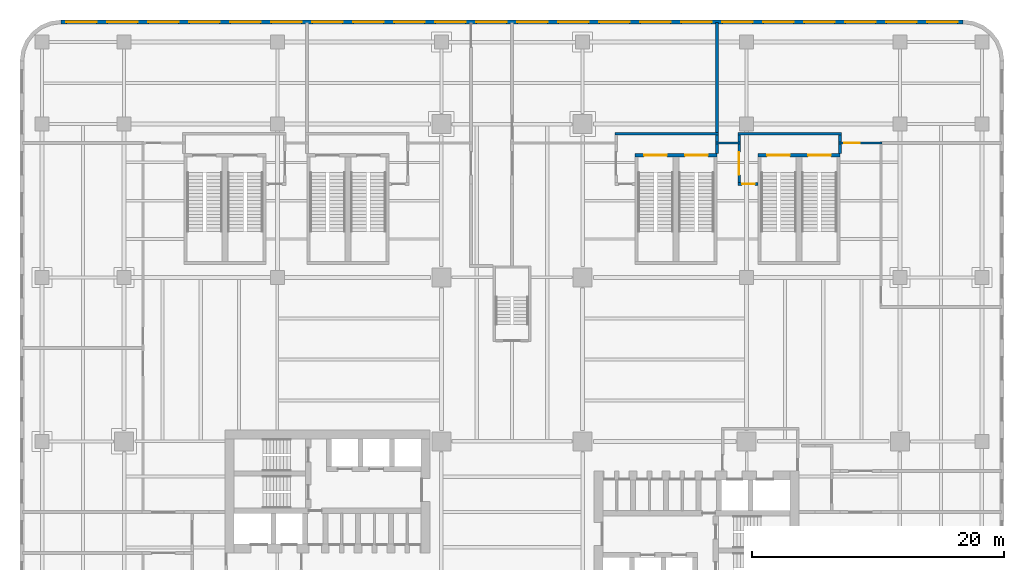
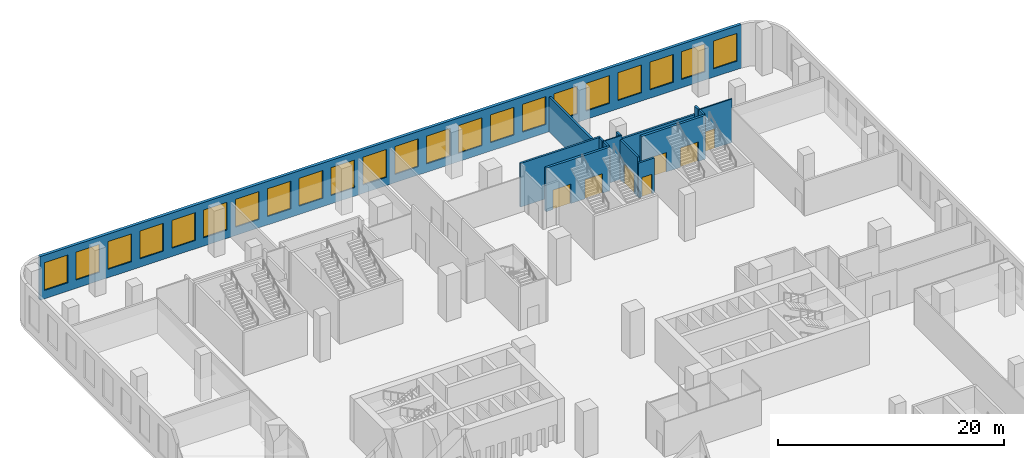
# One storey, part 14 of 17: 22 windows, 15 walls, 7 doors, 29 openings.
"""IFC4 building model written with IfcOpenShell, lengths in metres."""

from ifc_helpers import new_model, si_unit, direction, frame, frame_2d, origin, place, context, subcontext, project, spatial, rectangle, extrude, source, transform, mapped, material, layer, layer_set, type_object, element, fill, save


model = new_model("IFC4")

# Units and contexts
model_context = context("Model", 3, precision=1e-05, world=origin(), true_north=direction((0.0, 1.0)))
body_context = subcontext(model_context, "Body", "Model", "MODEL_VIEW")
ifc_project = project(units=[si_unit("LENGTHUNIT", "METRE"), si_unit("AREAUNIT", "SQUARE_METRE"), si_unit("VOLUMEUNIT", "CUBIC_METRE"), si_unit("PLANEANGLEUNIT", "RADIAN"), si_unit("MASSUNIT", "GRAM", prefix="KILO")], contexts=[model_context])

# Site, building, storey
site_placement = place(None, origin())
site = spatial("IfcSite", under=ifc_project, at=site_placement, CompositionType="ELEMENT")
building_placement = place(site_placement, origin())
building = spatial("IfcBuilding", under=site, at=building_placement, Name="Trellis Farm Tower", CompositionType="ELEMENT")
storey_placement = place(building_placement, frame((0.0, 0.0, 19.0)))
storey = spatial("IfcBuildingStorey", under=building, at=storey_placement, Name="L03", CompositionType="ELEMENT", Elevation=19.0)

# Wall, openings, doors
ifc_material_1 = material(Name="Concrete C80/95", Category="concrete")
ifc_layer_1 = layer(ifc_material_1, 0.25)
ifc_layer_set_1 = layer_set([ifc_layer_1], Name="CORE STAIR ENCLOSURE WALL 250 CONCRETE C80/95")
wall_type_1 = type_object("IfcWallType", Name="CORE STAIR ENCLOSURE WALL 250 CONCRETE C80/95", PredefinedType="SHEAR", material=ifc_layer_set_1)
shared_shape_1 = source(origin(), body_context, "Body", "SweptSolid", [
    extrude(rectangle(XDim=6.5, YDim=0.25, at=frame_2d((3.25, 0.0))), origin(), (0.0, 0.0, 1.0), 4.699951171875),
])
wall_1_placement = place(storey_placement, frame((9.75, 28.27490234375, 0.0), z_axis=(0.0, 0.0, 1.0), x_axis=(1.0, 0.0, 0.0)))
wall_1 = element("IfcWall", 1, at=wall_1_placement, inside=storey, type_object=wall_type_1, Name="Podium stair enclosure wall", PredefinedType="SHEAR", context=body_context, shape_type="MappedRepresentation", body=[
    mapped(shared_shape_1, transform((0.0, 0.0, 0.0))),
])
shared_shape_2 = source(origin(), body_context, "Body", "SweptSolid", [
    extrude(rectangle(XDim=1.800048828125, YDim=2.10009765625, at=frame_2d((0.89990234375, 1.050048828125))), frame((0.0, 0.135009765625, 0.0), z_axis=(0.0, -1.0, 0.0), x_axis=(1.0, 0.0, 0.0)), (0.0, 0.0, 1.0), 0.27001953125),
])
opening_1_placement = place(wall_1_placement, frame((0.72509765625, 0.0, 0.0)))
opening_1 = element("IfcOpeningElement", 2, at=opening_1_placement, cuts=wall_1, Name="Opening DP5", PredefinedType="OPENING", context=body_context, shape_type="MappedRepresentation", body=[
    mapped(shared_shape_2, transform((0.0, 0.0, 0.0))),
])
opening_2_placement = place(wall_1_placement, frame((3.97509765625, 0.0, 0.0)))
opening_2 = element("IfcOpeningElement", 3, at=opening_2_placement, cuts=wall_1, Name="Opening DP6", PredefinedType="OPENING", context=body_context, shape_type="MappedRepresentation", body=[
    mapped(shared_shape_2, transform((0.0, 0.0, 0.0))),
])
ifc_material_2 = material(Name="Steel", Category="steel")
door_type_1 = type_object("IfcDoorType", Name="CORE FIRE DOOR DOUBLE 1800 X 2100", OperationType="DOUBLE_DOOR_SINGLE_SWING", PredefinedType="DOOR", material=ifc_material_2)
shared_shape_3 = source(origin(), body_context, "Body", "SweptSolid", [
    extrude(rectangle(XDim=1.800048828125, YDim=2.10009765625, at=frame_2d((0.89990234375, 1.050048828125))), frame((0.0, 0.02490234375, 0.0), z_axis=(0.0, -1.0, 0.0), x_axis=(1.0, 0.0, 0.0)), (0.0, 0.0, 1.0), 0.050048828125),
])
door_1_placement = place(opening_1_placement, origin())
door_1 = element("IfcDoor", 4, at=door_1_placement, inside=storey, type_object=door_type_1, Name="Podium stair door", OperationType="DOUBLE_DOOR_SINGLE_SWING", OverallHeight=2.10009765625, OverallWidth=1.800048828125, PredefinedType="DOOR", context=body_context, shape_type="MappedRepresentation", body=[
    mapped(shared_shape_3, transform((0.0, 0.0, 0.0))),
])
fill(opening_1, door_1)
door_2_placement = place(opening_2_placement, origin())
door_2 = element("IfcDoor", 5, at=door_2_placement, inside=storey, type_object=door_type_1, Name="Podium stair door", OperationType="DOUBLE_DOOR_SINGLE_SWING", OverallHeight=2.10009765625, OverallWidth=1.800048828125, PredefinedType="DOOR", context=body_context, shape_type="MappedRepresentation", body=[
    mapped(shared_shape_3, transform((0.0, 0.0, 0.0))),
])
fill(opening_2, door_2)

wall_2_placement = place(storey_placement, frame((19.5, 28.27490234375, 0.0), z_axis=(0.0, 0.0, 1.0), x_axis=(1.0, 0.0, 0.0)))
wall_2 = element("IfcWall", 6, at=wall_2_placement, inside=storey, type_object=wall_type_1, Name="Podium stair enclosure wall", PredefinedType="SHEAR", context=body_context, shape_type="MappedRepresentation", body=[
    mapped(shared_shape_1, transform((0.0, 0.0, 0.0))),
])
opening_3_placement = place(wall_2_placement, frame((0.72509765625, 0.0, 0.0)))
opening_3 = element("IfcOpeningElement", 7, at=opening_3_placement, cuts=wall_2, Name="Opening DP7", PredefinedType="OPENING", context=body_context, shape_type="MappedRepresentation", body=[
    mapped(shared_shape_2, transform((0.0, 0.0, 0.0))),
])
opening_4_placement = place(wall_2_placement, frame((3.97509765625, 0.0, 0.0)))
opening_4 = element("IfcOpeningElement", 8, at=opening_4_placement, cuts=wall_2, Name="Opening DP8", PredefinedType="OPENING", context=body_context, shape_type="MappedRepresentation", body=[
    mapped(shared_shape_2, transform((0.0, 0.0, 0.0))),
])
door_3_placement = place(opening_3_placement, origin())
door_3 = element("IfcDoor", 9, at=door_3_placement, inside=storey, type_object=door_type_1, Name="Podium stair door", OperationType="DOUBLE_DOOR_SINGLE_SWING", OverallHeight=2.10009765625, OverallWidth=1.800048828125, PredefinedType="DOOR", context=body_context, shape_type="MappedRepresentation", body=[
    mapped(shared_shape_3, transform((0.0, 0.0, 0.0))),
])
fill(opening_3, door_3)
door_4_placement = place(opening_4_placement, origin())
door_4 = element("IfcDoor", 10, at=door_4_placement, inside=storey, type_object=door_type_1, Name="Podium stair door", OperationType="DOUBLE_DOOR_SINGLE_SWING", OverallHeight=2.10009765625, OverallWidth=1.800048828125, PredefinedType="DOOR", context=body_context, shape_type="MappedRepresentation", body=[
    mapped(shared_shape_3, transform((0.0, 0.0, 0.0))),
])
fill(opening_4, door_4)

# Wall, openings, windows
ifc_material_3 = material(Name="Sandstone faced insulated wall", Category="masonry")
ifc_layer_2 = layer(ifc_material_3, 0.300048828125)
ifc_layer_set_2 = layer_set([ifc_layer_2], Name="STONE CLAD EXTERNAL WALL 300")
wall_type_2 = type_object("IfcWallType", Name="STONE CLAD EXTERNAL WALL 300", PredefinedType="SOLIDWALL", material=ifc_layer_set_2)
shared_shape_4 = source(origin(), body_context, "Body", "SweptSolid", [
    extrude(rectangle(XDim=71.5, YDim=0.300048828125, at=frame_2d((35.75, 0.0))), origin(), (0.0, 0.0, 1.0), 4.699951171875),
])
wall_3_placement = place(storey_placement, frame((35.75, 38.85009765625, 0.0), z_axis=(0.0, 0.0, 1.0), x_axis=(-1.0, 0.0, 0.0)))
wall_3 = element("IfcWall", 11, at=wall_3_placement, inside=storey, type_object=wall_type_2, Name="EW2 F02", PredefinedType="SOLIDWALL", context=body_context, shape_type="MappedRepresentation", body=[
    mapped(shared_shape_4, transform((0.0, 0.0, 0.0))),
])
shared_shape_5 = source(origin(), body_context, "Body", "SweptSolid", [
    extrude(rectangle(XDim=2.39990234375, YDim=3.0, at=frame_2d((1.199951171875, 1.5))), frame((0.0, 0.16015625, 0.0), z_axis=(0.0, -1.0, 0.0), x_axis=(1.0, 0.0, 0.0)), (0.0, 0.0, 1.0), 0.3203125),
])
opening_5_placement = place(wall_3_placement, frame((0.425048828125, 0.0, 0.89990234375)))
opening_5 = element("IfcOpeningElement", 12, at=opening_5_placement, cuts=wall_3, Name="Opening WN1", PredefinedType="OPENING", context=body_context, shape_type="MappedRepresentation", body=[
    mapped(shared_shape_5, transform((0.0, 0.0, 0.0))),
])
opening_6_placement = place(wall_3_placement, frame((3.675048828125, 0.0, 0.89990234375)))
opening_6 = element("IfcOpeningElement", 13, at=opening_6_placement, cuts=wall_3, Name="Opening WN1", PredefinedType="OPENING", context=body_context, shape_type="MappedRepresentation", body=[
    mapped(shared_shape_5, transform((0.0, 0.0, 0.0))),
])
opening_7_placement = place(wall_3_placement, frame((6.925048828125, 0.0, 0.89990234375)))
opening_7 = element("IfcOpeningElement", 14, at=opening_7_placement, cuts=wall_3, Name="Opening WN1", PredefinedType="OPENING", context=body_context, shape_type="MappedRepresentation", body=[
    mapped(shared_shape_5, transform((0.0, 0.0, 0.0))),
])
opening_8_placement = place(wall_3_placement, frame((10.175048828125, 0.0, 0.89990234375)))
opening_8 = element("IfcOpeningElement", 15, at=opening_8_placement, cuts=wall_3, Name="Opening WN1", PredefinedType="OPENING", context=body_context, shape_type="MappedRepresentation", body=[
    mapped(shared_shape_5, transform((0.0, 0.0, 0.0))),
])
opening_9_placement = place(wall_3_placement, frame((13.425048828125, 0.0, 0.89990234375)))
opening_9 = element("IfcOpeningElement", 16, at=opening_9_placement, cuts=wall_3, Name="Opening WN1", PredefinedType="OPENING", context=body_context, shape_type="MappedRepresentation", body=[
    mapped(shared_shape_5, transform((0.0, 0.0, 0.0))),
])
opening_10_placement = place(wall_3_placement, frame((16.675048828125, 0.0, 0.89990234375)))
opening_10 = element("IfcOpeningElement", 17, at=opening_10_placement, cuts=wall_3, Name="Opening WN1", PredefinedType="OPENING", context=body_context, shape_type="MappedRepresentation", body=[
    mapped(shared_shape_5, transform((0.0, 0.0, 0.0))),
])
opening_11_placement = place(wall_3_placement, frame((19.925048828125, 0.0, 0.89990234375)))
opening_11 = element("IfcOpeningElement", 18, at=opening_11_placement, cuts=wall_3, Name="Opening WN1", PredefinedType="OPENING", context=body_context, shape_type="MappedRepresentation", body=[
    mapped(shared_shape_5, transform((0.0, 0.0, 0.0))),
])
opening_12_placement = place(wall_3_placement, frame((23.175048828125, 0.0, 0.89990234375)))
opening_12 = element("IfcOpeningElement", 19, at=opening_12_placement, cuts=wall_3, Name="Opening WN1", PredefinedType="OPENING", context=body_context, shape_type="MappedRepresentation", body=[
    mapped(shared_shape_5, transform((0.0, 0.0, 0.0))),
])
opening_13_placement = place(wall_3_placement, frame((26.425048828125, 0.0, 0.89990234375)))
opening_13 = element("IfcOpeningElement", 20, at=opening_13_placement, cuts=wall_3, Name="Opening WN1", PredefinedType="OPENING", context=body_context, shape_type="MappedRepresentation", body=[
    mapped(shared_shape_5, transform((0.0, 0.0, 0.0))),
])
opening_14_placement = place(wall_3_placement, frame((29.675048828125, 0.0, 0.89990234375)))
opening_14 = element("IfcOpeningElement", 21, at=opening_14_placement, cuts=wall_3, Name="Opening WN1", PredefinedType="OPENING", context=body_context, shape_type="MappedRepresentation", body=[
    mapped(shared_shape_5, transform((0.0, 0.0, 0.0))),
])
opening_15_placement = place(wall_3_placement, frame((32.925048828125, 0.0, 0.89990234375)))
opening_15 = element("IfcOpeningElement", 22, at=opening_15_placement, cuts=wall_3, Name="Opening WN1", PredefinedType="OPENING", context=body_context, shape_type="MappedRepresentation", body=[
    mapped(shared_shape_5, transform((0.0, 0.0, 0.0))),
])
opening_16_placement = place(wall_3_placement, frame((36.175048828125, 0.0, 0.89990234375)))
opening_16 = element("IfcOpeningElement", 23, at=opening_16_placement, cuts=wall_3, Name="Opening WN1", PredefinedType="OPENING", context=body_context, shape_type="MappedRepresentation", body=[
    mapped(shared_shape_5, transform((0.0, 0.0, 0.0))),
])
opening_17_placement = place(wall_3_placement, frame((39.425048828125, 0.0, 0.89990234375)))
opening_17 = element("IfcOpeningElement", 24, at=opening_17_placement, cuts=wall_3, Name="Opening WN1", PredefinedType="OPENING", context=body_context, shape_type="MappedRepresentation", body=[
    mapped(shared_shape_5, transform((0.0, 0.0, 0.0))),
])
opening_18_placement = place(wall_3_placement, frame((42.675048828125, 0.0, 0.89990234375)))
opening_18 = element("IfcOpeningElement", 25, at=opening_18_placement, cuts=wall_3, Name="Opening WN1", PredefinedType="OPENING", context=body_context, shape_type="MappedRepresentation", body=[
    mapped(shared_shape_5, transform((0.0, 0.0, 0.0))),
])
opening_19_placement = place(wall_3_placement, frame((45.925048828125, 0.0, 0.89990234375)))
opening_19 = element("IfcOpeningElement", 26, at=opening_19_placement, cuts=wall_3, Name="Opening WN1", PredefinedType="OPENING", context=body_context, shape_type="MappedRepresentation", body=[
    mapped(shared_shape_5, transform((0.0, 0.0, 0.0))),
])
opening_20_placement = place(wall_3_placement, frame((49.175048828125, 0.0, 0.89990234375)))
opening_20 = element("IfcOpeningElement", 27, at=opening_20_placement, cuts=wall_3, Name="Opening WN1", PredefinedType="OPENING", context=body_context, shape_type="MappedRepresentation", body=[
    mapped(shared_shape_5, transform((0.0, 0.0, 0.0))),
])
opening_21_placement = place(wall_3_placement, frame((52.425048828125, 0.0, 0.89990234375)))
opening_21 = element("IfcOpeningElement", 28, at=opening_21_placement, cuts=wall_3, Name="Opening WN1", PredefinedType="OPENING", context=body_context, shape_type="MappedRepresentation", body=[
    mapped(shared_shape_5, transform((0.0, 0.0, 0.0))),
])
opening_22_placement = place(wall_3_placement, frame((55.675048828125, 0.0, 0.89990234375)))
opening_22 = element("IfcOpeningElement", 29, at=opening_22_placement, cuts=wall_3, Name="Opening WN1", PredefinedType="OPENING", context=body_context, shape_type="MappedRepresentation", body=[
    mapped(shared_shape_5, transform((0.0, 0.0, 0.0))),
])
opening_23_placement = place(wall_3_placement, frame((58.925048828125, 0.0, 0.89990234375)))
opening_23 = element("IfcOpeningElement", 30, at=opening_23_placement, cuts=wall_3, Name="Opening WN1", PredefinedType="OPENING", context=body_context, shape_type="MappedRepresentation", body=[
    mapped(shared_shape_5, transform((0.0, 0.0, 0.0))),
])
opening_24_placement = place(wall_3_placement, frame((62.175048828125, 0.0, 0.89990234375)))
opening_24 = element("IfcOpeningElement", 31, at=opening_24_placement, cuts=wall_3, Name="Opening WN1", PredefinedType="OPENING", context=body_context, shape_type="MappedRepresentation", body=[
    mapped(shared_shape_5, transform((0.0, 0.0, 0.0))),
])
opening_25_placement = place(wall_3_placement, frame((65.425048828125, 0.0, 0.89990234375)))
opening_25 = element("IfcOpeningElement", 32, at=opening_25_placement, cuts=wall_3, Name="Opening WN1", PredefinedType="OPENING", context=body_context, shape_type="MappedRepresentation", body=[
    mapped(shared_shape_5, transform((0.0, 0.0, 0.0))),
])
opening_26_placement = place(wall_3_placement, frame((68.675048828125, 0.0, 0.89990234375)))
opening_26 = element("IfcOpeningElement", 33, at=opening_26_placement, cuts=wall_3, Name="Opening WN1", PredefinedType="OPENING", context=body_context, shape_type="MappedRepresentation", body=[
    mapped(shared_shape_5, transform((0.0, 0.0, 0.0))),
])
ifc_material_4 = material(Name="Clear insulated glass", Category="glass")
window_type = type_object("IfcWindowType", Name="PODIUM WINDOW 2400x3000", PartitioningType="SINGLE_PANEL", PredefinedType="WINDOW", material=ifc_material_4)
shared_shape_6 = source(origin(), body_context, "Body", "SweptSolid", [
    extrude(rectangle(XDim=2.39990234375, YDim=3.0, at=frame_2d((1.199951171875, 1.5))), frame((0.0, 0.030029296875, 0.0), z_axis=(0.0, -1.0, 0.0), x_axis=(1.0, 0.0, 0.0)), (0.0, 0.0, 1.0), 0.06005859375),
])
window_1_placement = place(opening_5_placement, origin())
window_1 = element("IfcWindow", 34, at=window_1_placement, inside=storey, type_object=window_type, Name="WN1 023", OverallHeight=3.0, OverallWidth=2.39990234375, PartitioningType="SINGLE_PANEL", PredefinedType="WINDOW", context=body_context, shape_type="MappedRepresentation", body=[
    mapped(shared_shape_6, transform((0.0, 0.0, 0.0))),
])
fill(opening_5, window_1)
window_2_placement = place(opening_6_placement, origin())
window_2 = element("IfcWindow", 35, at=window_2_placement, inside=storey, type_object=window_type, Name="WN1 024", OverallHeight=3.0, OverallWidth=2.39990234375, PartitioningType="SINGLE_PANEL", PredefinedType="WINDOW", context=body_context, shape_type="MappedRepresentation", body=[
    mapped(shared_shape_6, transform((0.0, 0.0, 0.0))),
])
fill(opening_6, window_2)
window_3_placement = place(opening_7_placement, origin())
window_3 = element("IfcWindow", 36, at=window_3_placement, inside=storey, type_object=window_type, Name="WN1 025", OverallHeight=3.0, OverallWidth=2.39990234375, PartitioningType="SINGLE_PANEL", PredefinedType="WINDOW", context=body_context, shape_type="MappedRepresentation", body=[
    mapped(shared_shape_6, transform((0.0, 0.0, 0.0))),
])
fill(opening_7, window_3)
window_4_placement = place(opening_8_placement, origin())
window_4 = element("IfcWindow", 37, at=window_4_placement, inside=storey, type_object=window_type, Name="WN1 026", OverallHeight=3.0, OverallWidth=2.39990234375, PartitioningType="SINGLE_PANEL", PredefinedType="WINDOW", context=body_context, shape_type="MappedRepresentation", body=[
    mapped(shared_shape_6, transform((0.0, 0.0, 0.0))),
])
fill(opening_8, window_4)
window_5_placement = place(opening_9_placement, origin())
window_5 = element("IfcWindow", 38, at=window_5_placement, inside=storey, type_object=window_type, Name="WN1 027", OverallHeight=3.0, OverallWidth=2.39990234375, PartitioningType="SINGLE_PANEL", PredefinedType="WINDOW", context=body_context, shape_type="MappedRepresentation", body=[
    mapped(shared_shape_6, transform((0.0, 0.0, 0.0))),
])
fill(opening_9, window_5)
window_6_placement = place(opening_10_placement, origin())
window_6 = element("IfcWindow", 39, at=window_6_placement, inside=storey, type_object=window_type, Name="WN1 028", OverallHeight=3.0, OverallWidth=2.39990234375, PartitioningType="SINGLE_PANEL", PredefinedType="WINDOW", context=body_context, shape_type="MappedRepresentation", body=[
    mapped(shared_shape_6, transform((0.0, 0.0, 0.0))),
])
fill(opening_10, window_6)
window_7_placement = place(opening_11_placement, origin())
window_7 = element("IfcWindow", 40, at=window_7_placement, inside=storey, type_object=window_type, Name="WN1 029", OverallHeight=3.0, OverallWidth=2.39990234375, PartitioningType="SINGLE_PANEL", PredefinedType="WINDOW", context=body_context, shape_type="MappedRepresentation", body=[
    mapped(shared_shape_6, transform((0.0, 0.0, 0.0))),
])
fill(opening_11, window_7)
window_8_placement = place(opening_12_placement, origin())
window_8 = element("IfcWindow", 41, at=window_8_placement, inside=storey, type_object=window_type, Name="WN1 030", OverallHeight=3.0, OverallWidth=2.39990234375, PartitioningType="SINGLE_PANEL", PredefinedType="WINDOW", context=body_context, shape_type="MappedRepresentation", body=[
    mapped(shared_shape_6, transform((0.0, 0.0, 0.0))),
])
fill(opening_12, window_8)
window_9_placement = place(opening_13_placement, origin())
window_9 = element("IfcWindow", 42, at=window_9_placement, inside=storey, type_object=window_type, Name="WN1 031", OverallHeight=3.0, OverallWidth=2.39990234375, PartitioningType="SINGLE_PANEL", PredefinedType="WINDOW", context=body_context, shape_type="MappedRepresentation", body=[
    mapped(shared_shape_6, transform((0.0, 0.0, 0.0))),
])
fill(opening_13, window_9)
window_10_placement = place(opening_14_placement, origin())
window_10 = element("IfcWindow", 43, at=window_10_placement, inside=storey, type_object=window_type, Name="WN1 032", OverallHeight=3.0, OverallWidth=2.39990234375, PartitioningType="SINGLE_PANEL", PredefinedType="WINDOW", context=body_context, shape_type="MappedRepresentation", body=[
    mapped(shared_shape_6, transform((0.0, 0.0, 0.0))),
])
fill(opening_14, window_10)
window_11_placement = place(opening_15_placement, origin())
window_11 = element("IfcWindow", 44, at=window_11_placement, inside=storey, type_object=window_type, Name="WN1 033", OverallHeight=3.0, OverallWidth=2.39990234375, PartitioningType="SINGLE_PANEL", PredefinedType="WINDOW", context=body_context, shape_type="MappedRepresentation", body=[
    mapped(shared_shape_6, transform((0.0, 0.0, 0.0))),
])
fill(opening_15, window_11)
window_12_placement = place(opening_16_placement, origin())
window_12 = element("IfcWindow", 45, at=window_12_placement, inside=storey, type_object=window_type, Name="WN1 034", OverallHeight=3.0, OverallWidth=2.39990234375, PartitioningType="SINGLE_PANEL", PredefinedType="WINDOW", context=body_context, shape_type="MappedRepresentation", body=[
    mapped(shared_shape_6, transform((0.0, 0.0, 0.0))),
])
fill(opening_16, window_12)
window_13_placement = place(opening_17_placement, origin())
window_13 = element("IfcWindow", 46, at=window_13_placement, inside=storey, type_object=window_type, Name="WN1 035", OverallHeight=3.0, OverallWidth=2.39990234375, PartitioningType="SINGLE_PANEL", PredefinedType="WINDOW", context=body_context, shape_type="MappedRepresentation", body=[
    mapped(shared_shape_6, transform((0.0, 0.0, 0.0))),
])
fill(opening_17, window_13)
window_14_placement = place(opening_18_placement, origin())
window_14 = element("IfcWindow", 47, at=window_14_placement, inside=storey, type_object=window_type, Name="WN1 036", OverallHeight=3.0, OverallWidth=2.39990234375, PartitioningType="SINGLE_PANEL", PredefinedType="WINDOW", context=body_context, shape_type="MappedRepresentation", body=[
    mapped(shared_shape_6, transform((0.0, 0.0, 0.0))),
])
fill(opening_18, window_14)
window_15_placement = place(opening_19_placement, origin())
window_15 = element("IfcWindow", 48, at=window_15_placement, inside=storey, type_object=window_type, Name="WN1 037", OverallHeight=3.0, OverallWidth=2.39990234375, PartitioningType="SINGLE_PANEL", PredefinedType="WINDOW", context=body_context, shape_type="MappedRepresentation", body=[
    mapped(shared_shape_6, transform((0.0, 0.0, 0.0))),
])
fill(opening_19, window_15)
window_16_placement = place(opening_20_placement, origin())
window_16 = element("IfcWindow", 49, at=window_16_placement, inside=storey, type_object=window_type, Name="WN1 038", OverallHeight=3.0, OverallWidth=2.39990234375, PartitioningType="SINGLE_PANEL", PredefinedType="WINDOW", context=body_context, shape_type="MappedRepresentation", body=[
    mapped(shared_shape_6, transform((0.0, 0.0, 0.0))),
])
fill(opening_20, window_16)
window_17_placement = place(opening_21_placement, origin())
window_17 = element("IfcWindow", 50, at=window_17_placement, inside=storey, type_object=window_type, Name="WN1 039", OverallHeight=3.0, OverallWidth=2.39990234375, PartitioningType="SINGLE_PANEL", PredefinedType="WINDOW", context=body_context, shape_type="MappedRepresentation", body=[
    mapped(shared_shape_6, transform((0.0, 0.0, 0.0))),
])
fill(opening_21, window_17)
window_18_placement = place(opening_22_placement, origin())
window_18 = element("IfcWindow", 51, at=window_18_placement, inside=storey, type_object=window_type, Name="WN1 040", OverallHeight=3.0, OverallWidth=2.39990234375, PartitioningType="SINGLE_PANEL", PredefinedType="WINDOW", context=body_context, shape_type="MappedRepresentation", body=[
    mapped(shared_shape_6, transform((0.0, 0.0, 0.0))),
])
fill(opening_22, window_18)
window_19_placement = place(opening_23_placement, origin())
window_19 = element("IfcWindow", 52, at=window_19_placement, inside=storey, type_object=window_type, Name="WN1 041", OverallHeight=3.0, OverallWidth=2.39990234375, PartitioningType="SINGLE_PANEL", PredefinedType="WINDOW", context=body_context, shape_type="MappedRepresentation", body=[
    mapped(shared_shape_6, transform((0.0, 0.0, 0.0))),
])
fill(opening_23, window_19)
window_20_placement = place(opening_24_placement, origin())
window_20 = element("IfcWindow", 53, at=window_20_placement, inside=storey, type_object=window_type, Name="WN1 042", OverallHeight=3.0, OverallWidth=2.39990234375, PartitioningType="SINGLE_PANEL", PredefinedType="WINDOW", context=body_context, shape_type="MappedRepresentation", body=[
    mapped(shared_shape_6, transform((0.0, 0.0, 0.0))),
])
fill(opening_24, window_20)
window_21_placement = place(opening_25_placement, origin())
window_21 = element("IfcWindow", 54, at=window_21_placement, inside=storey, type_object=window_type, Name="WN1 043", OverallHeight=3.0, OverallWidth=2.39990234375, PartitioningType="SINGLE_PANEL", PredefinedType="WINDOW", context=body_context, shape_type="MappedRepresentation", body=[
    mapped(shared_shape_6, transform((0.0, 0.0, 0.0))),
])
fill(opening_25, window_21)
window_22_placement = place(opening_26_placement, origin())
window_22 = element("IfcWindow", 55, at=window_22_placement, inside=storey, type_object=window_type, Name="WN1 044", OverallHeight=3.0, OverallWidth=2.39990234375, PartitioningType="SINGLE_PANEL", PredefinedType="WINDOW", context=body_context, shape_type="MappedRepresentation", body=[
    mapped(shared_shape_6, transform((0.0, 0.0, 0.0))),
])
fill(opening_26, window_22)

# Walls
ifc_material_5 = material(Name="Lightweight blockwork, plastered", Category="masonry")
ifc_layer_3 = layer(ifc_material_5, 0.199951171875)
ifc_layer_set_3 = layer_set([ifc_layer_3], Name="BLOCK WALL 200 EI 120")
wall_type_3 = type_object("IfcWallType", Name="BLOCK WALL 200 EI 120", PredefinedType="PARTITIONING", material=ifc_layer_set_3)
shared_shape_7 = source(origin(), body_context, "Body", "SweptSolid", [
    extrude(rectangle(XDim=0.78759765625, YDim=0.199951171875, at=frame_2d((0.393798828125, 0.0))), origin(), (0.0, 0.0, 1.0), 4.699951171875),
])
for number, where, z_axis, x_axis, name in (
    (56, (16.25, 28.39990234375, 0.0), (0.0, 0.0, 1.0), (0.0, 1.0, 0.0), "Partition PW3"),
    (57, (26.0, 28.39990234375, 0.0), (0.0, 0.0, 1.0), (0.0, 1.0, 0.0), "Partition PW3"),
):
    element("IfcWall", number, at=place(storey_placement, frame(where, z_axis=z_axis, x_axis=x_axis)), inside=storey, type_object=wall_type_3, Name=name, PredefinedType="PARTITIONING", context=body_context, shape_type="MappedRepresentation", body=[
        mapped(shared_shape_7, transform((0.0, 0.0, 0.0))),
    ])
shared_shape_8 = source(origin(), body_context, "Body", "SweptSolid", [
    extrude(rectangle(XDim=0.58740234375, YDim=0.199951171875, at=frame_2d((0.293701171875, 0.0))), origin(), (0.0, 0.0, 1.0), 4.699951171875),
])
for number, where, z_axis, x_axis, name in (
    (58, (16.25, 29.89990234375, 0.0), (0.0, 0.0, 1.0), (0.0, -1.0, 0.0), "Partition PW3"),
    (59, (18.0, 29.89990234375, 0.0), (0.0, 0.0, 1.0), (0.0, -1.0, 0.0), "Partition PW3"),
    (60, (26.0, 29.89990234375, 0.0), (0.0, 0.0, 1.0), (0.0, -1.0, 0.0), "Partition PW3"),
):
    element("IfcWall", number, at=place(storey_placement, frame(where, z_axis=z_axis, x_axis=x_axis)), inside=storey, type_object=wall_type_3, Name=name, PredefinedType="PARTITIONING", context=body_context, shape_type="MappedRepresentation", body=[
        mapped(shared_shape_8, transform((0.0, 0.0, 0.0))),
    ])

# Wall, opening, door
shared_shape_9 = source(origin(), body_context, "Body", "SweptSolid", [
    extrude(rectangle(XDim=3.08740234375, YDim=0.199951171875, at=frame_2d((1.543701171875, 0.0))), origin(), (0.0, 0.0, 1.0), 4.273681640625),
])
wall_4_placement = place(storey_placement, frame((18.0, 26.10009765625, 0.0), z_axis=(0.0, 0.0, 1.0), x_axis=(0.0, 1.0, 0.0)))
wall_4 = element("IfcWall", 61, at=wall_4_placement, inside=storey, type_object=wall_type_3, Name="Partition PW3", PredefinedType="PARTITIONING", context=body_context, shape_type="MappedRepresentation", body=[
    mapped(shared_shape_9, transform((0.0, 0.0, 0.0))),
])
shared_shape_10 = source(origin(), body_context, "Body", "SweptSolid", [
    extrude(rectangle(XDim=1.800048828125, YDim=2.10009765625, at=frame_2d((0.89990234375, 1.050048828125))), frame((0.0, 0.110107421875, 0.0), z_axis=(0.0, -1.0, 0.0), x_axis=(1.0, 0.0, 0.0)), (0.0, 0.0, 1.0), 0.22021484375),
])
opening_27_placement = place(wall_4_placement, frame((0.625, 0.0, 0.0)))
opening_27 = element("IfcOpeningElement", 62, at=opening_27_placement, cuts=wall_4, Name="Opening D418", PredefinedType="OPENING", context=body_context, shape_type="MappedRepresentation", body=[
    mapped(shared_shape_10, transform((0.0, 0.0, 0.0))),
])
ifc_material_6 = material(Name="Fire-rated timber door leaf in a hollow metal frame", Category="wood")
door_type_2 = type_object("IfcDoorType", Name="DOOR PAIR 1800x2100 FD60", OperationType="NOTDEFINED", PredefinedType="DOOR", material=ifc_material_6)
door_5_placement = place(opening_27_placement, origin())
door_5 = element("IfcDoor", 63, at=door_5_placement, inside=storey, type_object=door_type_2, Name="Door D418", OperationType="DOUBLE_DOOR_SINGLE_SWING", OverallHeight=2.10009765625, OverallWidth=1.800048828125, PredefinedType="DOOR", context=body_context, shape_type="MappedRepresentation", body=[
    mapped(shared_shape_3, transform((0.0, 0.0, 0.0))),
])
fill(opening_27, door_5)

# Walls
shared_shape_11 = source(origin(), body_context, "Body", "SweptSolid", [
    extrude(rectangle(XDim=8.699951171875, YDim=0.199951171875, at=frame_2d((4.35009765625, 0.0))), origin(), (0.0, 0.0, 1.0), 3.76171875),
])
wall_5_placement = place(storey_placement, frame((16.25, 30.10009765625, 0.0), z_axis=(0.0, 0.0, 1.0), x_axis=(0.0, 1.0, 0.0)))
element("IfcWall", 64, at=wall_5_placement, inside=storey, type_object=wall_type_3, Name="Partition PW3", PredefinedType="PARTITIONING", context=body_context, shape_type="MappedRepresentation", body=[
    mapped(shared_shape_11, transform((0.0, 0.0, 0.0))),
])
shared_shape_12 = source(origin(), body_context, "Body", "SweptSolid", [
    extrude(rectangle(XDim=8.2001953125, YDim=0.199951171875, at=frame_2d((4.10009765625, 0.0))), origin(), (0.0, 0.0, 1.0), 4.699951171875),
])
wall_6_placement = place(storey_placement, frame((8.14990234375, 30.0, 0.0), z_axis=(0.0, 0.0, 1.0), x_axis=(1.0, 0.0, 0.0)))
element("IfcWall", 65, at=wall_6_placement, inside=storey, type_object=wall_type_3, Name="Partition PW3", PredefinedType="PARTITIONING", context=body_context, shape_type="MappedRepresentation", body=[
    mapped(shared_shape_12, transform((0.0, 0.0, 0.0))),
])
shared_shape_13 = source(origin(), body_context, "Body", "SweptSolid", [
    extrude(rectangle(XDim=8.2001953125, YDim=0.199951171875, at=frame_2d((4.10009765625, 0.0))), origin(), (0.0, 0.0, 1.0), 3.76171875),
])
wall_7_placement = place(storey_placement, frame((17.89990234375, 30.0, 0.0), z_axis=(0.0, 0.0, 1.0), x_axis=(1.0, 0.0, 0.0)))
element("IfcWall", 66, at=wall_7_placement, inside=storey, type_object=wall_type_3, Name="Partition PW3", PredefinedType="PARTITIONING", context=body_context, shape_type="MappedRepresentation", body=[
    mapped(shared_shape_13, transform((0.0, 0.0, 0.0))),
])
ifc_material_7 = material(Name="Plasterboard on steel studs, mineral wool", Category="steel")
ifc_layer_4 = layer(ifc_material_7, 0.125)
ifc_layer_set_4 = layer_set([ifc_layer_4], Name="PARTITION 125 STUD EI 60")
wall_type_4 = type_object("IfcWallType", Name="PARTITION 125 STUD EI 60", PredefinedType="PARTITIONING", material=ifc_layer_set_4)
shared_shape_14 = source(origin(), body_context, "Body", "SweptSolid", [
    extrude(rectangle(XDim=1.9501953125, YDim=0.125, at=frame_2d((0.97509765625, 0.0))), origin(), (0.0, 0.0, 1.0), 4.699951171875),
])
wall_8_placement = place(storey_placement, frame((16.14990234375, 29.25, 0.0), z_axis=(0.0, 0.0, 1.0), x_axis=(1.0, 0.0, 0.0)))
element("IfcWall", 67, at=wall_8_placement, inside=storey, type_object=wall_type_4, Name="Partition PW1", PredefinedType="PARTITIONING", context=body_context, shape_type="MappedRepresentation", body=[
    mapped(shared_shape_14, transform((0.0, 0.0, 0.0))),
])

# Wall, opening, door
shared_shape_15 = source(origin(), body_context, "Body", "SweptSolid", [
    extrude(rectangle(XDim=3.41259765625, YDim=0.125, at=frame_2d((1.706298828125, 0.0))), origin(), (0.0, 0.0, 1.0), 4.699951171875),
])
wall_9_placement = place(storey_placement, frame((25.89990234375, 29.25, 0.0), z_axis=(0.0, 0.0, 1.0), x_axis=(1.0, 0.0, 0.0)))
wall_9 = element("IfcWall", 68, at=wall_9_placement, inside=storey, type_object=wall_type_4, Name="Partition PW1", PredefinedType="PARTITIONING", context=body_context, shape_type="MappedRepresentation", body=[
    mapped(shared_shape_15, transform((0.0, 0.0, 0.0))),
])
shared_shape_16 = source(origin(), body_context, "Body", "SweptSolid", [
    extrude(rectangle(XDim=1.199951171875, YDim=2.10009765625, at=frame_2d((0.60009765625, 1.050048828125))), frame((0.0, 0.072509765625, 0.0), z_axis=(0.0, -1.0, 0.0), x_axis=(1.0, 0.0, 0.0)), (0.0, 0.0, 1.0), 0.14501953125),
])
opening_28_placement = place(wall_9_placement, frame((0.449951171875, 0.0, 0.0)))
opening_28 = element("IfcOpeningElement", 69, at=opening_28_placement, cuts=wall_9, Name="Opening D606", PredefinedType="OPENING", context=body_context, shape_type="MappedRepresentation", body=[
    mapped(shared_shape_16, transform((0.0, 0.0, 0.0))),
])
door_type_3 = type_object("IfcDoorType", Name="DOOR 1200x2100 FD30S", OperationType="NOTDEFINED", PredefinedType="DOOR", material=ifc_material_6)
shared_shape_17 = source(origin(), body_context, "Body", "SweptSolid", [
    extrude(rectangle(XDim=1.199951171875, YDim=2.10009765625, at=frame_2d((0.60009765625, 1.050048828125))), frame((0.0, 0.02490234375, 0.0), z_axis=(0.0, -1.0, 0.0), x_axis=(1.0, 0.0, 0.0)), (0.0, 0.0, 1.0), 0.050048828125),
])
door_6_placement = place(opening_28_placement, origin())
door_6 = element("IfcDoor", 70, at=door_6_placement, inside=storey, type_object=door_type_3, Name="Door D606", OperationType="SINGLE_SWING_LEFT", OverallHeight=2.10009765625, OverallWidth=1.199951171875, PredefinedType="DOOR", context=body_context, shape_type="MappedRepresentation", body=[
    mapped(shared_shape_17, transform((0.0, 0.0, 0.0))),
])
fill(opening_28, door_6)

shared_shape_18 = source(origin(), body_context, "Body", "SweptSolid", [
    extrude(rectangle(XDim=1.60009765625, YDim=0.199951171875, at=frame_2d((0.800048828125, 0.0))), origin(), (0.0, 0.0, 1.0), 3.76171875),
])
wall_10_placement = place(storey_placement, frame((17.89990234375, 26.0, 0.0), z_axis=(0.0, 0.0, 1.0), x_axis=(1.0, 0.0, 0.0)))
wall_10 = element("IfcWall", 71, at=wall_10_placement, inside=storey, type_object=wall_type_3, Name="Partition PW3", PredefinedType="PARTITIONING", context=body_context, shape_type="MappedRepresentation", body=[
    mapped(shared_shape_18, transform((0.0, 0.0, 0.0))),
])
shared_shape_19 = source(origin(), body_context, "Body", "SweptSolid", [
    extrude(rectangle(XDim=1.0, YDim=2.10009765625, at=frame_2d((0.5, 1.050048828125))), frame((0.0, 0.110107421875, 0.0), z_axis=(0.0, -1.0, 0.0), x_axis=(1.0, 0.0, 0.0)), (0.0, 0.0, 1.0), 0.22021484375),
])
opening_29_placement = place(wall_10_placement, frame((0.35009765625, 0.0, 0.0)))
opening_29 = element("IfcOpeningElement", 72, at=opening_29_placement, cuts=wall_10, Name="Opening D309", PredefinedType="OPENING", context=body_context, shape_type="MappedRepresentation", body=[
    mapped(shared_shape_19, transform((0.0, 0.0, 0.0))),
])
door_type_4 = type_object("IfcDoorType", Name="DOOR 1000x2100 FD60", OperationType="NOTDEFINED", PredefinedType="DOOR", material=ifc_material_6)
shared_shape_20 = source(origin(), body_context, "Body", "SweptSolid", [
    extrude(rectangle(XDim=1.0, YDim=2.10009765625, at=frame_2d((0.5, 1.050048828125))), frame((0.0, 0.02490234375, 0.0), z_axis=(0.0, -1.0, 0.0), x_axis=(1.0, 0.0, 0.0)), (0.0, 0.0, 1.0), 0.050048828125),
])
door_7_placement = place(opening_29_placement, origin())
door_7 = element("IfcDoor", 73, at=door_7_placement, inside=storey, type_object=door_type_4, Name="Door D309", OperationType="SINGLE_SWING_LEFT", OverallHeight=2.10009765625, OverallWidth=1.0, PredefinedType="DOOR", context=body_context, shape_type="MappedRepresentation", body=[
    mapped(shared_shape_20, transform((0.0, 0.0, 0.0))),
])
fill(opening_29, door_7)

save(model, "model.ifc")
